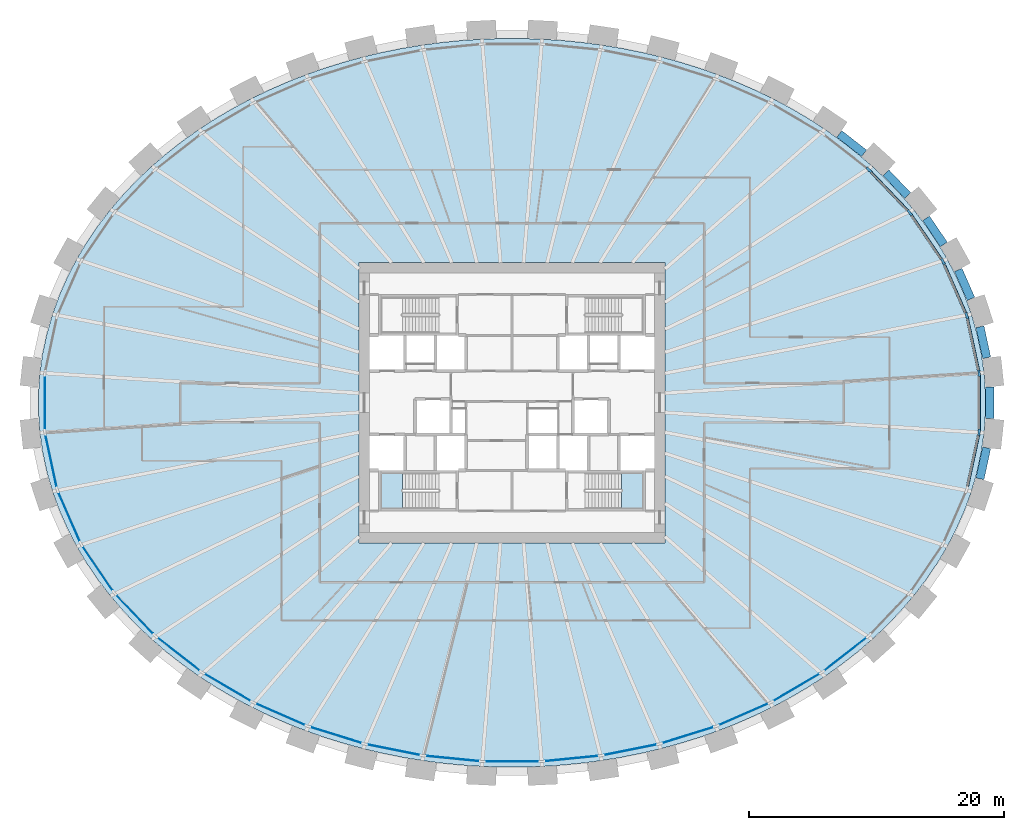
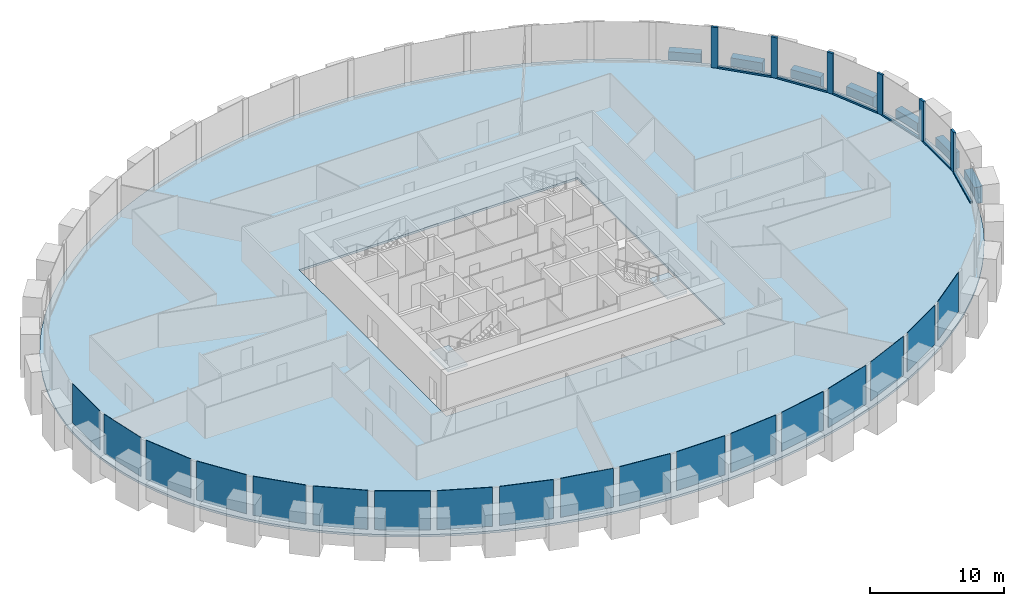
# One storey, part 4 of 10: 18 plates, 12 members, 7 beams, 3 slabs, 3 elements without a shape of their own.
"""IFC4 building model written with IfcOpenShell, lengths in metres."""

from ifc_helpers import new_model, si_unit, direction, frame, origin, origin_2d, place, context, subcontext, project, spatial, polyline, rectangle, outline, extrude, source, transform, mapped, material, layer, layer_set, material_profile, profile_set, type_object, element, aggregate, save


model = new_model("IFC4")

# Units and contexts
model_context = context("Model", 3, precision=1e-05, world=origin(), true_north=direction((0.0, 1.0)))
body_context = subcontext(model_context, "Body", "Model", "MODEL_VIEW")
ifc_project = project(units=[si_unit("LENGTHUNIT", "METRE"), si_unit("AREAUNIT", "SQUARE_METRE"), si_unit("VOLUMEUNIT", "CUBIC_METRE"), si_unit("PLANEANGLEUNIT", "RADIAN"), si_unit("MASSUNIT", "GRAM", prefix="KILO")], contexts=[model_context])

# Site, building, storey
site_placement = place(None, origin())
site = spatial("IfcSite", under=ifc_project, at=site_placement, CompositionType="ELEMENT")
building_placement = place(site_placement, origin())
building = spatial("IfcBuilding", under=site, at=building_placement, Name="Embergate Tower", CompositionType="ELEMENT")
storey_placement = place(building_placement, frame((0.0, 0.0, 152.10009765625)))
storey = spatial("IfcBuildingStorey", under=building, at=storey_placement, Name="L33", CompositionType="ELEMENT", Elevation=152.10009765625)

# Beams
ifc_material_1 = material(Name="Concrete C70", Category="concrete")
ifc_material_profile_1 = material_profile(ifc_material_1, rectangle(XDim=0.64990234375, YDim=1.5, at=origin_2d()), Name="RC 650x1500")
ifc_profile_set_1 = profile_set([ifc_material_profile_1], Name="Concrete C70")
beam_type = type_object("IfcBeamType", Name="Spandrel beam RC 650x1500 C70", PredefinedType="BEAM", material=ifc_profile_set_1)
shared_shape_1 = source(origin(), body_context, "Body", "SweptSolid", [
    extrude(rectangle(XDim=0.64990234375, YDim=1.5, at=origin_2d()), origin(), (0.0, 0.0, 1.0), 2.490966796875),
])
for number, where, z_axis, x_axis, name in (
    (1, (37.27294921875, 3.532958984375, 0.0), (-0.210720345789, 0.977546385534, 0.0), (-0.977546385534, -0.210720345789, 0.0), "SPN-L33-00"),
    (2, (36.748046875, -5.968017578125, 0.0), (0.210720345789, 0.977546385534, 0.0), (-0.977546385534, 0.210720345789, 0.0), "SPN-L33-42"),
):
    element("IfcBeam", number, at=place(storey_placement, frame(where, z_axis=z_axis, x_axis=x_axis)), inside=storey, type_object=beam_type, Name=name, PredefinedType="BEAM", context=body_context, shape_type="MappedRepresentation", body=[
        mapped(shared_shape_1, transform((0.0, 0.0, 0.0))),
    ])
shared_shape_2 = source(origin(), body_context, "Body", "SweptSolid", [
    extrude(rectangle(XDim=0.64990234375, YDim=1.5, at=origin_2d()), origin(), (0.0, 0.0, 1.0), 2.48828125),
])
beam_1_placement = place(storey_placement, frame((36.041015625, 8.156005859375, 0.0), z_axis=(-0.401472379967, 0.91587113074, 0.0), x_axis=(-0.91587113074, -0.401472379967, 0.0)))
element("IfcBeam", 3, at=beam_1_placement, inside=storey, type_object=beam_type, Name="SPN-L33-01", PredefinedType="BEAM", context=body_context, shape_type="MappedRepresentation", body=[
    mapped(shared_shape_2, transform((0.0, 0.0, 0.0))),
])
shared_shape_3 = source(origin(), body_context, "Body", "SweptSolid", [
    extrude(rectangle(XDim=0.64990234375, YDim=1.5, at=origin_2d()), origin(), (0.0, 0.0, 1.0), 2.4775390625),
])
beam_2_placement = place(storey_placement, frame((33.910888671875, 12.43701171875, 0.0), z_axis=(-0.562159078618, 0.827029123022, 0.0), x_axis=(-0.827029123022, -0.562159078618, 0.0)))
element("IfcBeam", 4, at=beam_2_placement, inside=storey, type_object=beam_type, Name="SPN-L33-02", PredefinedType="BEAM", context=body_context, shape_type="MappedRepresentation", body=[
    mapped(shared_shape_3, transform((0.0, 0.0, 0.0))),
])
shared_shape_4 = source(origin(), body_context, "Body", "SweptSolid", [
    extrude(rectangle(XDim=0.64990234375, YDim=1.5, at=origin_2d()), origin(), (0.0, 0.0, 1.0), 2.473388671875),
])
beam_3_placement = place(storey_placement, frame((31.072021484375, 16.27490234375, 0.0), z_axis=(-0.69012823406, 0.723687101276, 0.0), x_axis=(-0.723687101276, -0.69012823406, 0.0)))
element("IfcBeam", 5, at=beam_3_placement, inside=storey, type_object=beam_type, Name="SPN-L33-03", PredefinedType="BEAM", context=body_context, shape_type="MappedRepresentation", body=[
    mapped(shared_shape_4, transform((0.0, 0.0, 0.0))),
])
shared_shape_5 = source(origin(), body_context, "Body", "SweptSolid", [
    extrude(rectangle(XDim=0.64990234375, YDim=1.5, at=origin_2d()), origin(), (0.0, 0.0, 1.0), 2.466552734375),
])
beam_4_placement = place(storey_placement, frame((27.64697265625, 19.593994140625, 0.0), z_axis=(-0.788172909908, 0.615453868367, 0.0), x_axis=(-0.615453868367, -0.788172909908, 0.0)))
element("IfcBeam", 6, at=beam_4_placement, inside=storey, type_object=beam_type, Name="SPN-L33-04", PredefinedType="BEAM", context=body_context, shape_type="MappedRepresentation", body=[
    mapped(shared_shape_5, transform((0.0, 0.0, 0.0))),
])
shared_shape_6 = source(origin(), body_context, "Body", "SweptSolid", [
    extrude(rectangle(XDim=0.64990234375, YDim=1.5, at=origin_2d()), origin(), (0.0, 0.0, 1.0), 2.4921875),
])
beam_5_placement = place(storey_placement, frame((37.51611328125, -1.24609375, 0.0), z_axis=(0.0, 1.0, 0.0), x_axis=(-1.0, 0.0, 0.0)))
element("IfcBeam", 7, at=beam_5_placement, inside=storey, type_object=beam_type, Name="SPN-L33-43", PredefinedType="BEAM", context=body_context, shape_type="MappedRepresentation", body=[
    mapped(shared_shape_6, transform((0.0, 0.0, 0.0))),
])

# Curtain wall, members
ifc_material_2 = material(Name="Aluminium and glass", Category="aluminium")
curtain_wall_type = type_object("IfcCurtainWallType", Name="Recessed office glazing", PredefinedType="NOTDEFINED", material=ifc_material_2)
curtain_wall_placement = place(storey_placement, origin())
curtain_wall = element("IfcCurtainWall", 8, at=curtain_wall_placement, inside=storey, type_object=curtain_wall_type, Name="Recessed office glazing ring", ObjectType="RECESSED OFFICE GLAZING", PredefinedType="USERDEFINED")
ifc_material_3 = material(Name="Aluminium, thermally broken", Category="aluminium")
ifc_material_profile_2 = material_profile(ifc_material_3, rectangle(XDim=0.179931640625, YDim=0.52001953125, at=origin_2d()), Name="AL 520x180")
ifc_profile_set_2 = profile_set([ifc_material_profile_2], Name="Aluminium, thermally broken")
member_type_1 = type_object("IfcMemberType", Name="Office mullion", PredefinedType="MULLION", material=ifc_profile_set_2)
shared_shape_7 = source(origin(), body_context, "Body", "SweptSolid", [
    extrude(rectangle(XDim=0.179931640625, YDim=0.52001953125, at=origin_2d()), origin(), (0.0, 0.0, 1.0), 3.699951171875),
])
member_1_placement = place(storey_placement, frame((36.68310546875, 2.313232421875, 0.0), z_axis=(0.0, 0.0, 1.0), x_axis=(-0.994384954736, -0.105823257345, 0.0)))
member_1 = element("IfcMember", 9, at=member_1_placement, type_object=member_type_1, Name="CW mullion 1", PredefinedType="MULLION", context=body_context, shape_type="MappedRepresentation", body=[
    mapped(shared_shape_7, transform((0.0, 0.0, 0.0))),
])
member_2_placement = place(storey_placement, frame((35.708984375, 6.8388671875, 0.0), z_axis=(0.0, 0.0, 1.0), x_axis=(-0.951498334951, -0.307653894149, 0.0)))
member_2 = element("IfcMember", 10, at=member_2_placement, type_object=member_type_1, Name="CW mullion 2", PredefinedType="MULLION", context=body_context, shape_type="MappedRepresentation", body=[
    mapped(shared_shape_7, transform((0.0, 0.0, 0.0))),
])
member_3_placement = place(storey_placement, frame((33.846923828125, 11.084716796875, 0.0), z_axis=(0.0, 0.0, 1.0), x_axis=(-0.875001895832, -0.484119491748, 0.0)))
member_3 = element("IfcMember", 11, at=member_3_placement, type_object=member_type_1, Name="CW mullion 3", PredefinedType="MULLION", context=body_context, shape_type="MappedRepresentation", body=[
    mapped(shared_shape_7, transform((0.0, 0.0, 0.0))),
])
member_4_placement = place(storey_placement, frame((31.23486328125, 14.92578125, 0.0), z_axis=(0.0, 0.0, 1.0), x_axis=(-0.777872564355, -0.628422050555, 0.0)))
member_4 = element("IfcMember", 12, at=member_4_placement, type_object=member_type_1, Name="CW mullion 4", PredefinedType="MULLION", context=body_context, shape_type="MappedRepresentation", body=[
    mapped(shared_shape_7, transform((0.0, 0.0, 0.0))),
])
member_5_placement = place(storey_placement, frame((28.023193359375, 18.29345703125, 0.0), z_axis=(0.0, 0.0, 1.0), x_axis=(-0.671226533956, -0.741252278319, 0.0)))
member_5 = element("IfcMember", 13, at=member_5_placement, type_object=member_type_1, Name="CW mullion 5", PredefinedType="MULLION", context=body_context, shape_type="MappedRepresentation", body=[
    mapped(shared_shape_7, transform((0.0, 0.0, 0.0))),
])
member_6_placement = place(storey_placement, frame((36.68310546875, -2.313232421875, 0.0), z_axis=(0.0, 0.0, 1.0), x_axis=(-0.994384954736, 0.105823257345, 0.0)))
member_6 = element("IfcMember", 14, at=member_6_placement, type_object=member_type_1, Name="CW mullion 44", PredefinedType="MULLION", context=body_context, shape_type="MappedRepresentation", body=[
    mapped(shared_shape_7, transform((0.0, 0.0, 0.0))),
])
ifc_material_profile_3 = material_profile(ifc_material_3, rectangle(XDim=0.179931640625, YDim=0.14990234375, at=origin_2d()), Name="AL 150x180")
ifc_profile_set_3 = profile_set([ifc_material_profile_3], Name="Aluminium, thermally broken")
member_type_2 = type_object("IfcMemberType", Name="Office sill transom", PredefinedType="USERDEFINED", material=ifc_profile_set_3)
shared_shape_8 = source(origin(), body_context, "Body", "SweptSolid", [
    extrude(rectangle(XDim=0.179931640625, YDim=0.14990234375, at=origin_2d()), origin(), (0.0, 0.0, 1.0), 4.109375),
])
member_7_placement = place(storey_placement, frame((36.62841796875, 2.5673828125, 0.074951171875), z_axis=(-0.210377003976, 0.97762033336, 0.0), x_axis=(-0.97762033336, -0.210377003976, 0.0)))
member_7 = element("IfcMember", 15, at=member_7_placement, type_object=member_type_2, Name="CW transom 1.1", ObjectType="TRANSOM", PredefinedType="USERDEFINED", context=body_context, shape_type="MappedRepresentation", body=[
    mapped(shared_shape_8, transform((0.0, 0.0, 0.0))),
])
member_8_placement = place(storey_placement, frame((35.763916015625, -6.584716796875, 0.074951171875), z_axis=(0.210377003976, 0.97762033336, 0.0), x_axis=(-0.97762033336, 0.210377003976, 0.0)))
member_8 = element("IfcMember", 16, at=member_8_placement, type_object=member_type_2, Name="CW transom 43.1", ObjectType="TRANSOM", PredefinedType="USERDEFINED", context=body_context, shape_type="MappedRepresentation", body=[
    mapped(shared_shape_8, transform((0.0, 0.0, 0.0))),
])
shared_shape_9 = source(origin(), body_context, "Body", "SweptSolid", [
    extrude(rectangle(XDim=0.179931640625, YDim=0.14990234375, at=origin_2d()), origin(), (0.0, 0.0, 1.0), 4.1162109375),
])
member_9_placement = place(storey_placement, frame((35.6044921875, 7.076904296875, 0.074951171875), z_axis=(-0.401593425876, 0.915818060694, 0.0), x_axis=(-0.915818060694, -0.401593425876, 0.0)))
member_9 = element("IfcMember", 17, at=member_9_placement, type_object=member_type_2, Name="CW transom 2.1", ObjectType="TRANSOM", PredefinedType="USERDEFINED", context=body_context, shape_type="MappedRepresentation", body=[
    mapped(shared_shape_9, transform((0.0, 0.0, 0.0))),
])
shared_shape_10 = source(origin(), body_context, "Body", "SweptSolid", [
    extrude(rectangle(XDim=0.179931640625, YDim=0.14990234375, at=origin_2d()), origin(), (0.0, 0.0, 1.0), 4.124755859375),
])
member_10_placement = place(storey_placement, frame((33.70068359375, 11.2998046875, 0.074951171875), z_axis=(-0.562339161446, 0.826906686092, 0.0), x_axis=(-0.826906686092, -0.562339161446, 0.0)))
member_10 = element("IfcMember", 18, at=member_10_placement, type_object=member_type_2, Name="CW transom 3.1", ObjectType="TRANSOM", PredefinedType="USERDEFINED", context=body_context, shape_type="MappedRepresentation", body=[
    mapped(shared_shape_10, transform((0.0, 0.0, 0.0))),
])
shared_shape_11 = source(origin(), body_context, "Body", "SweptSolid", [
    extrude(rectangle(XDim=0.179931640625, YDim=0.14990234375, at=origin_2d()), origin(), (0.0, 0.0, 1.0), 4.133544921875),
])
member_11_placement = place(storey_placement, frame((31.055419921875, 15.11376953125, 0.074951171875), z_axis=(-0.690134325915, 0.723681291864, 0.0), x_axis=(-0.723681291864, -0.690134325915, 0.0)))
member_11 = element("IfcMember", 19, at=member_11_placement, type_object=member_type_2, Name="CW transom 4.1", ObjectType="TRANSOM", PredefinedType="USERDEFINED", context=body_context, shape_type="MappedRepresentation", body=[
    mapped(shared_shape_11, transform((0.0, 0.0, 0.0))),
])
shared_shape_12 = source(origin(), body_context, "Body", "SweptSolid", [
    extrude(rectangle(XDim=0.179931640625, YDim=0.14990234375, at=origin_2d()), origin(), (0.0, 0.0, 1.0), 4.1064453125),
])
member_12_placement = place(storey_placement, frame((36.68310546875, -2.05322265625, 0.074951171875), z_axis=(0.0, 1.0, 0.0), x_axis=(-1.0, 0.0, 0.0)))
member_12 = element("IfcMember", 20, at=member_12_placement, type_object=member_type_2, Name="CW transom 44.1", ObjectType="TRANSOM", PredefinedType="USERDEFINED", context=body_context, shape_type="MappedRepresentation", body=[
    mapped(shared_shape_12, transform((0.0, 0.0, 0.0))),
])

# Slab
ifc_material_4 = material(Name="Concrete C40", Category="concrete")
ifc_layer_1 = layer(ifc_material_4, 0.199951171875)
ifc_layer_set_1 = layer_set([ifc_layer_1], Name="Concrete C40")
slab_type_1 = type_object("IfcSlabType", Name="Composite floor slab C40 200", PredefinedType="FLOOR", material=ifc_layer_set_1)
shared_shape_13 = source(origin(), body_context, "Body", "SweptSolid", [
    extrude(outline(polyline([(0.0, 0.0), (1.57421875, 0.0), (3.14501953125, 0.052001953125), (4.718017578125, 0.154052734375), (6.2841796875, 0.307861328125), (7.840087890625, 0.512939453125), (9.398193359375, 0.77099609375), (10.941162109375, 1.0810546875), (12.464111328125, 1.44091796875), (13.9921875, 1.85791015625), (15.494140625, 2.324951171875), (16.968017578125, 2.843017578125), (18.444091796875, 3.4228515625), (19.88623046875, 4.053955078125), (21.2890625, 4.73291015625), (22.691162109375, 5.48095703125), (24.047119140625, 6.27783203125), (25.35400390625, 7.123046875), (26.652099609375, 8.0439453125), (27.89208984375, 9.011962890625), (29.071044921875, 10.02392578125), (30.22802734375, 11.118896484375), (31.31298828125, 12.2568359375), (32.32421875, 13.434814453125), (33.294189453125, 14.698974609375), (34.17822265625, 15.9990234375), (34.97509765625, 17.33203125), (35.7041015625, 18.743896484375), (36.336181640625, 20.183837890625), (36.8671875, 21.64697265625), (37.30615234375, 23.16796875), (37.63623046875, 24.703857421875), (37.858154296875, 26.251953125), (37.97021484375, 27.821044921875), (37.97021484375, 29.392822265625), (37.858154296875, 30.9619140625), (37.63623046875, 32.510009765625), (37.30615234375, 34.0458984375), (36.8671875, 35.56689453125), (36.336181640625, 37.030029296875), (35.7041015625, 38.469970703125), (34.97509765625, 39.8818359375), (34.17822265625, 41.21484375), (33.294189453125, 42.514892578125), (32.32421875, 43.779052734375), (31.31298828125, 44.95703125), (30.22802734375, 46.094970703125), (29.071044921875, 47.18994140625), (27.89208984375, 48.201904296875), (26.652099609375, 49.169921875), (25.35400390625, 50.0908203125), (24.047119140625, 50.93603515625), (22.691162109375, 51.73291015625), (21.2890625, 52.48095703125), (19.88623046875, 53.159912109375), (18.444091796875, 53.791015625), (16.968017578125, 54.370849609375), (15.494140625, 54.888916015625), (13.9921875, 55.35595703125), (12.464111328125, 55.77294921875), (10.941162109375, 56.1328125), (9.398193359375, 56.44287109375), (7.840087890625, 56.700927734375), (6.2841796875, 56.906005859375), (4.718017578125, 57.059814453125), (3.14501953125, 57.161865234375), (1.57421875, 57.2138671875), (0.0, 57.2138671875), (-1.57080078125, 57.161865234375), (-3.143798828125, 57.059814453125), (-4.7099609375, 56.906005859375), (-6.265869140625, 56.700927734375), (-7.823974609375, 56.44287109375), (-9.366943359375, 56.1328125), (-10.889892578125, 55.77294921875), (-12.41796875, 55.35595703125), (-13.919921875, 54.888916015625), (-15.393798828125, 54.370849609375), (-16.869873046875, 53.791015625), (-18.31201171875, 53.159912109375), (-19.71484375, 52.48095703125), (-21.116943359375, 51.73291015625), (-22.472900390625, 50.93603515625), (-23.77978515625, 50.0908203125), (-25.077880859375, 49.169921875), (-26.31787109375, 48.201904296875), (-27.496826171875, 47.18994140625), (-28.65380859375, 46.094970703125), (-29.73876953125, 44.95703125), (-30.75, 43.779052734375), (-31.719970703125, 42.514892578125), (-32.60400390625, 41.21484375), (-33.40087890625, 39.8818359375), (-34.1298828125, 38.469970703125), (-34.761962890625, 37.030029296875), (-35.29296875, 35.56689453125), (-35.73193359375, 34.0458984375), (-36.06201171875, 32.510009765625), (-36.283935546875, 30.9619140625), (-36.39599609375, 29.392822265625), (-36.39599609375, 27.821044921875), (-36.283935546875, 26.251953125), (-36.06201171875, 24.703857421875), (-35.73193359375, 23.16796875), (-35.29296875, 21.64697265625), (-34.761962890625, 20.183837890625), (-34.1298828125, 18.743896484375), (-33.40087890625, 17.33203125), (-32.60400390625, 15.9990234375), (-31.719970703125, 14.698974609375), (-30.75, 13.434814453125), (-29.73876953125, 12.2568359375), (-28.65380859375, 11.118896484375), (-27.496826171875, 10.02392578125), (-26.31787109375, 9.011962890625), (-25.077880859375, 8.0439453125), (-23.77978515625, 7.123046875), (-22.472900390625, 6.27783203125), (-21.116943359375, 5.48095703125), (-19.71484375, 4.73291015625), (-18.31201171875, 4.053955078125), (-16.869873046875, 3.4228515625), (-15.393798828125, 2.843017578125), (-13.919921875, 2.324951171875), (-12.41796875, 1.85791015625), (-10.889892578125, 1.44091796875), (-9.366943359375, 1.0810546875), (-7.823974609375, 0.77099609375), (-6.265869140625, 0.512939453125), (-4.7099609375, 0.307861328125), (-3.143798828125, 0.154052734375), (-1.57080078125, 0.052001953125), (0.0, 0.0)]), holes=[polyline([(-11.212890625, 17.60693359375), (-11.212890625, 39.60693359375), (12.787109375, 39.60693359375), (12.787109375, 17.60693359375), (-11.212890625, 17.60693359375)])]), origin(), (0.0, 0.0, 1.0), 0.2001953125),
])
slab_1_placement = place(storey_placement, frame((-0.787109375, -28.60693359375, -0.2001953125)))
element("IfcSlab", 21, at=slab_1_placement, inside=storey, type_object=slab_type_1, Name="SLB-L33-00", PredefinedType="FLOOR", context=body_context, shape_type="MappedRepresentation", body=[
    mapped(shared_shape_13, transform((0.0, 0.0, 0.0))),
])

# Plate
ifc_material_5 = material(Name="Triple glazing, low-emissivity coating", Category="glass")
ifc_layer_2 = layer(ifc_material_5, 0.035888671875)
ifc_layer_set_2 = layer_set([ifc_layer_2], Name="Triple glazing, low-emissivity coating")
plate_type = type_object("IfcPlateType", Name="Office glazing unit", PredefinedType="CURTAIN_PANEL", material=ifc_layer_set_2)
shared_shape_14 = source(origin(), body_context, "Body", "SweptSolid", [
    extrude(rectangle(XDim=4.109130859375, YDim=0.035888671875, at=origin_2d()), origin(), (0.0, 0.0, 1.0), 3.550048828125),
])
plate_1_placement = place(storey_placement, frame((-36.196044921875, -4.576171875, 0.14990234375), z_axis=(0.0, 0.0, 1.0), x_axis=(0.210398391177, -0.97761573074, 0.0)))
plate_1 = element("IfcPlate", 22, at=plate_1_placement, type_object=plate_type, Name="CW panel 23.1", PredefinedType="CURTAIN_PANEL", context=body_context, shape_type="MappedRepresentation", body=[
    mapped(shared_shape_14, transform((0.0, 0.0, 0.0))),
])

shared_shape_15 = source(origin(), body_context, "Body", "SweptSolid", [
    extrude(rectangle(XDim=4.1162109375, YDim=0.035888671875, at=origin_2d()), origin(), (0.0, 0.0, 1.0), 3.550048828125),
])
plate_2_placement = place(storey_placement, frame((-34.778076171875, -8.9619140625, 0.14990234375), z_axis=(0.0, 0.0, 1.0), x_axis=(0.401652101157, -0.91579232888, 0.0)))
plate_2 = element("IfcPlate", 23, at=plate_2_placement, type_object=plate_type, Name="CW panel 24.1", PredefinedType="CURTAIN_PANEL", context=body_context, shape_type="MappedRepresentation", body=[
    mapped(shared_shape_15, transform((0.0, 0.0, 0.0))),
])

shared_shape_16 = source(origin(), body_context, "Body", "SweptSolid", [
    extrude(rectangle(XDim=4.125, YDim=0.035888671875, at=origin_2d()), origin(), (0.0, 0.0, 1.0), 3.550048828125),
])
plate_3_placement = place(storey_placement, frame((-32.541015625, -13.005126953125, 0.14990234375), z_axis=(0.0, 0.0, 1.0), x_axis=(0.562341741915, -0.826904931234, 0.0)))
plate_3 = element("IfcPlate", 24, at=plate_3_placement, type_object=plate_type, Name="CW panel 25.1", PredefinedType="CURTAIN_PANEL", context=body_context, shape_type="MappedRepresentation", body=[
    mapped(shared_shape_16, transform((0.0, 0.0, 0.0))),
])

shared_shape_17 = source(origin(), body_context, "Body", "SweptSolid", [
    extrude(rectangle(XDim=4.1337890625, YDim=0.035888671875, at=origin_2d()), origin(), (0.0, 0.0, 1.0), 3.550048828125),
])
plate_4_placement = place(storey_placement, frame((-29.62890625, -16.609619140625, 0.14990234375), z_axis=(0.0, 0.0, 1.0), x_axis=(0.690135047526, -0.723680603703, 0.0)))
plate_4 = element("IfcPlate", 25, at=plate_4_placement, type_object=plate_type, Name="CW panel 26.1", PredefinedType="CURTAIN_PANEL", context=body_context, shape_type="MappedRepresentation", body=[
    mapped(shared_shape_17, transform((0.0, 0.0, 0.0))),
])

shared_shape_18 = source(origin(), body_context, "Body", "SweptSolid", [
    extrude(rectangle(XDim=4.14111328125, YDim=0.035888671875, at=origin_2d()), origin(), (0.0, 0.0, 1.0), 3.550048828125),
])
plate_5_placement = place(storey_placement, frame((-26.185791015625, -19.727294921875, 0.14990234375), z_axis=(0.0, 0.0, 1.0), x_axis=(0.788320119254, -0.615265300158, 0.0)))
plate_5 = element("IfcPlate", 26, at=plate_5_placement, type_object=plate_type, Name="CW panel 27.1", PredefinedType="CURTAIN_PANEL", context=body_context, shape_type="MappedRepresentation", body=[
    mapped(shared_shape_18, transform((0.0, 0.0, 0.0))),
])

plate_6_placement = place(storey_placement, frame((26.185791015625, -19.727294921875, 0.14990234375), z_axis=(0.0, 0.0, 1.0), x_axis=(0.788320119254, 0.615265300158, 0.0)))
plate_6 = element("IfcPlate", 27, at=plate_6_placement, type_object=plate_type, Name="CW panel 39.1", PredefinedType="CURTAIN_PANEL", context=body_context, shape_type="MappedRepresentation", body=[
    mapped(shared_shape_18, transform((0.0, 0.0, 0.0))),
])

shared_shape_19 = source(origin(), body_context, "Body", "SweptSolid", [
    extrude(rectangle(XDim=4.147216796875, YDim=0.035888671875, at=origin_2d()), origin(), (0.0, 0.0, 1.0), 3.550048828125),
])
plate_7_placement = place(storey_placement, frame((-22.3369140625, -22.343994140625, 0.14990234375), z_axis=(0.0, 0.0, 1.0), x_axis=(0.862053167811, -0.50681785275, 0.0)))
plate_7 = element("IfcPlate", 28, at=plate_7_placement, type_object=plate_type, Name="CW panel 28.1", PredefinedType="CURTAIN_PANEL", context=body_context, shape_type="MappedRepresentation", body=[
    mapped(shared_shape_19, transform((0.0, 0.0, 0.0))),
])

plate_8_placement = place(storey_placement, frame((22.3369140625, -22.343994140625, 0.14990234375), z_axis=(0.0, 0.0, 1.0), x_axis=(0.862053167811, 0.50681785275, 0.0)))
plate_8 = element("IfcPlate", 29, at=plate_8_placement, type_object=plate_type, Name="CW panel 38.1", PredefinedType="CURTAIN_PANEL", context=body_context, shape_type="MappedRepresentation", body=[
    mapped(shared_shape_19, transform((0.0, 0.0, 0.0))),
])

shared_shape_20 = source(origin(), body_context, "Body", "SweptSolid", [
    extrude(rectangle(XDim=4.151611328125, YDim=0.035888671875, at=origin_2d()), origin(), (0.0, 0.0, 1.0), 3.550048828125),
])
plate_9_placement = place(storey_placement, frame((-18.18505859375, -24.462646484375, 0.14990234375), z_axis=(0.0, 0.0, 1.0), x_axis=(0.916236211741, -0.400638495772, 0.0)))
plate_9 = element("IfcPlate", 30, at=plate_9_placement, type_object=plate_type, Name="CW panel 29.1", PredefinedType="CURTAIN_PANEL", context=body_context, shape_type="MappedRepresentation", body=[
    mapped(shared_shape_20, transform((0.0, 0.0, 0.0))),
])

plate_10_placement = place(storey_placement, frame((18.18505859375, -24.462646484375, 0.14990234375), z_axis=(0.0, 0.0, 1.0), x_axis=(0.916236211741, 0.400638495772, 0.0)))
plate_10 = element("IfcPlate", 31, at=plate_10_placement, type_object=plate_type, Name="CW panel 37.1", PredefinedType="CURTAIN_PANEL", context=body_context, shape_type="MappedRepresentation", body=[
    mapped(shared_shape_20, transform((0.0, 0.0, 0.0))),
])

shared_shape_21 = source(origin(), body_context, "Body", "SweptSolid", [
    extrude(rectangle(XDim=4.155029296875, YDim=0.035888671875, at=origin_2d()), origin(), (0.0, 0.0, 1.0), 3.550048828125),
])
plate_11_placement = place(storey_placement, frame((-13.81298828125, -26.093505859375, 0.14990234375), z_axis=(0.0, 0.0, 1.0), x_axis=(0.954772217174, -0.297338213676, 0.0)))
plate_11 = element("IfcPlate", 32, at=plate_11_placement, type_object=plate_type, Name="CW panel 30.1", PredefinedType="CURTAIN_PANEL", context=body_context, shape_type="MappedRepresentation", body=[
    mapped(shared_shape_21, transform((0.0, 0.0, 0.0))),
])

plate_12_placement = place(storey_placement, frame((13.81298828125, -26.093505859375, 0.14990234375), z_axis=(0.0, 0.0, 1.0), x_axis=(0.954772217174, 0.297338213676, 0.0)))
plate_12 = element("IfcPlate", 33, at=plate_12_placement, type_object=plate_type, Name="CW panel 36.1", PredefinedType="CURTAIN_PANEL", context=body_context, shape_type="MappedRepresentation", body=[
    mapped(shared_shape_21, transform((0.0, 0.0, 0.0))),
])

shared_shape_22 = source(origin(), body_context, "Body", "SweptSolid", [
    extrude(rectangle(XDim=4.1572265625, YDim=0.035888671875, at=origin_2d()), origin(), (0.0, 0.0, 1.0), 3.550048828125),
])
plate_13_placement = place(storey_placement, frame((-9.288330078125, -27.248291015625, 0.14990234375), z_axis=(0.0, 0.0, 1.0), x_axis=(0.980475907409, -0.196639250889, 0.0)))
plate_13 = element("IfcPlate", 34, at=plate_13_placement, type_object=plate_type, Name="CW panel 31.1", PredefinedType="CURTAIN_PANEL", context=body_context, shape_type="MappedRepresentation", body=[
    mapped(shared_shape_22, transform((0.0, 0.0, 0.0))),
])

plate_14_placement = place(storey_placement, frame((9.288330078125, -27.248291015625, 0.14990234375), z_axis=(0.0, 0.0, 1.0), x_axis=(0.980475907409, 0.196639250889, 0.0)))
plate_14 = element("IfcPlate", 35, at=plate_14_placement, type_object=plate_type, Name="CW panel 35.1", PredefinedType="CURTAIN_PANEL", context=body_context, shape_type="MappedRepresentation", body=[
    mapped(shared_shape_22, transform((0.0, 0.0, 0.0))),
])

shared_shape_23 = source(origin(), body_context, "Body", "SweptSolid", [
    extrude(rectangle(XDim=4.158447265625, YDim=0.035888671875, at=origin_2d()), origin(), (0.0, 0.0, 1.0), 3.550048828125),
])
plate_15_placement = place(storey_placement, frame((-4.66748046875, -27.93701171875, 0.14990234375), z_axis=(0.0, 0.0, 1.0), x_axis=(0.995203184788, -0.097829550688, 0.0)))
plate_15 = element("IfcPlate", 36, at=plate_15_placement, type_object=plate_type, Name="CW panel 32.1", PredefinedType="CURTAIN_PANEL", context=body_context, shape_type="MappedRepresentation", body=[
    mapped(shared_shape_23, transform((0.0, 0.0, 0.0))),
])

plate_16_placement = place(storey_placement, frame((4.66748046875, -27.93701171875, 0.14990234375), z_axis=(0.0, 0.0, 1.0), x_axis=(0.995203184788, 0.097829550688, 0.0)))
plate_16 = element("IfcPlate", 37, at=plate_16_placement, type_object=plate_type, Name="CW panel 34.1", PredefinedType="CURTAIN_PANEL", context=body_context, shape_type="MappedRepresentation", body=[
    mapped(shared_shape_23, transform((0.0, 0.0, 0.0))),
])

shared_shape_24 = source(origin(), body_context, "Body", "SweptSolid", [
    extrude(rectangle(XDim=4.158935546875, YDim=0.035888671875, at=origin_2d()), origin(), (0.0, 0.0, 1.0), 3.550048828125),
])
plate_17_placement = place(storey_placement, frame((0.0, -28.166015625, 0.14990234375), z_axis=(0.0, 0.0, 1.0), x_axis=(1.0, 0.0, 0.0)))
plate_17 = element("IfcPlate", 38, at=plate_17_placement, type_object=plate_type, Name="CW panel 33.1", PredefinedType="CURTAIN_PANEL", context=body_context, shape_type="MappedRepresentation", body=[
    mapped(shared_shape_24, transform((0.0, 0.0, 0.0))),
])

shared_shape_25 = source(origin(), body_context, "Body", "SweptSolid", [
    extrude(rectangle(XDim=4.106689453125, YDim=0.035888671875, at=origin_2d()), origin(), (0.0, 0.0, 1.0), 3.550048828125),
])
plate_18_placement = place(storey_placement, frame((-36.68310546875, 0.0, 0.14990234375), z_axis=(0.0, 0.0, 1.0), x_axis=(0.0, -1.0, 0.0)))
plate_18 = element("IfcPlate", 39, at=plate_18_placement, type_object=plate_type, Name="CW panel 22.1", PredefinedType="CURTAIN_PANEL", context=body_context, shape_type="MappedRepresentation", body=[
    mapped(shared_shape_25, transform((0.0, 0.0, 0.0))),
])

aggregate(curtain_wall, [member_1, member_2, member_3, member_4, member_5, member_6, member_7, member_9, member_10, member_11, plate_18, plate_1, plate_2, plate_3, plate_4, plate_5, plate_7, plate_9, plate_11, plate_13, plate_15, plate_17, plate_16, plate_14, plate_12, plate_10, plate_8, plate_6, member_8, member_12])

# Stair, slab
ifc_material_6 = material(Name="Exit stair")
stair_type = type_object("IfcStairType", Name="Exit stair", PredefinedType="HALF_TURN_STAIR", material=ifc_material_6)
stair_1_placement = place(storey_placement, origin())
stair_1 = element("IfcStair", 40, at=stair_1_placement, inside=storey, type_object=stair_type, Name="L33 Exit stair 3", PredefinedType="HALF_TURN_STAIR")
ifc_layer_3 = layer(ifc_material_4, 0.199951171875)
ifc_layer_set_3 = layer_set([ifc_layer_3], Name="Concrete C40")
slab_type_2 = type_object("IfcSlabType", Name="Stair landing reinforced concrete", PredefinedType="LANDING", material=ifc_layer_set_3)
shared_shape_26 = source(origin(), body_context, "Body", "SweptSolid", [
    extrude(outline(polyline([(0.0, 0.0), (1.68994140625, 0.0), (1.68994140625, 2.800048828125), (0.0, 2.800048828125), (0.0, 0.0)])), origin(), (0.0, 0.0, 1.0), 0.199951171875),
])
slab_2_placement = place(storey_placement, frame((-10.300048828125, -8.300048828125, 1.75)))
slab_2 = element("IfcSlab", 41, at=slab_2_placement, type_object=slab_type_2, Name="ST3 landing 1", PredefinedType="LANDING", context=body_context, shape_type="MappedRepresentation", body=[
    mapped(shared_shape_26, transform((0.0, 0.0, 0.0))),
])
aggregate(stair_1, [slab_2])

stair_2_placement = place(storey_placement, origin())
stair_2 = element("IfcStair", 42, at=stair_2_placement, inside=storey, type_object=stair_type, Name="L33 Exit stair 4", PredefinedType="HALF_TURN_STAIR")
slab_3_placement = place(storey_placement, frame((8.610107421875, -8.300048828125, 1.75)))
slab_3 = element("IfcSlab", 43, at=slab_3_placement, type_object=slab_type_2, Name="ST4 landing 1", PredefinedType="LANDING", context=body_context, shape_type="MappedRepresentation", body=[
    mapped(shared_shape_26, transform((0.0, 0.0, 0.0))),
])
aggregate(stair_2, [slab_3])

save(model, "model.ifc")
